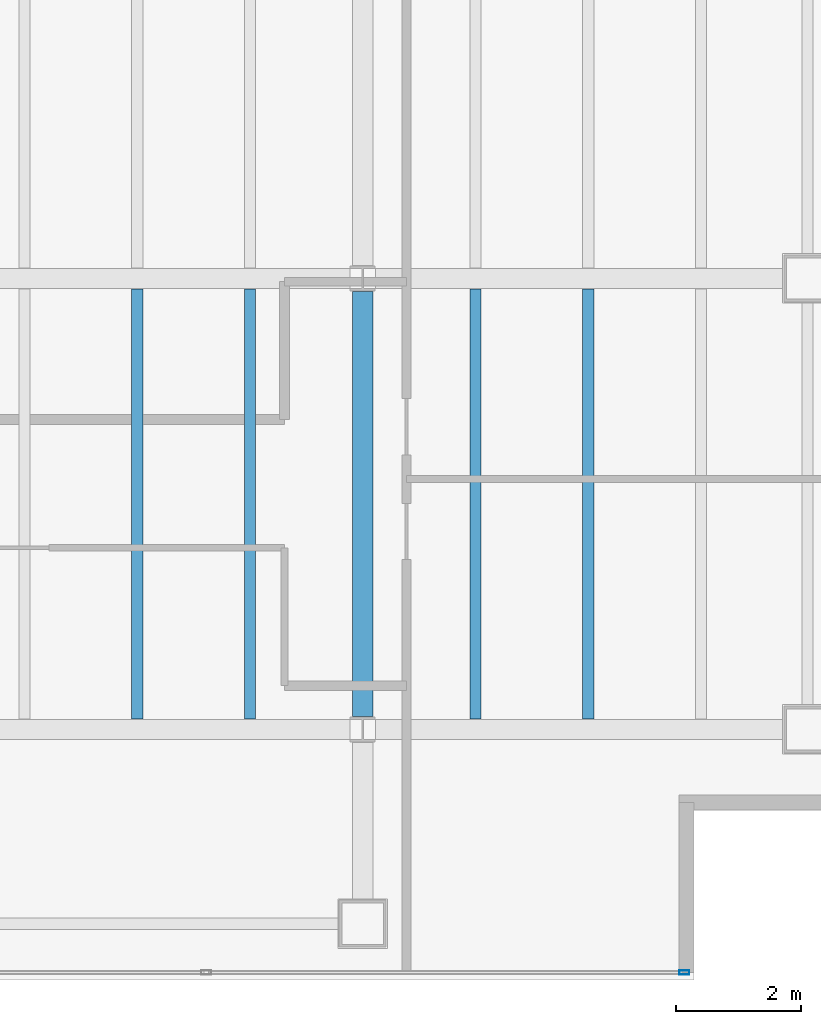
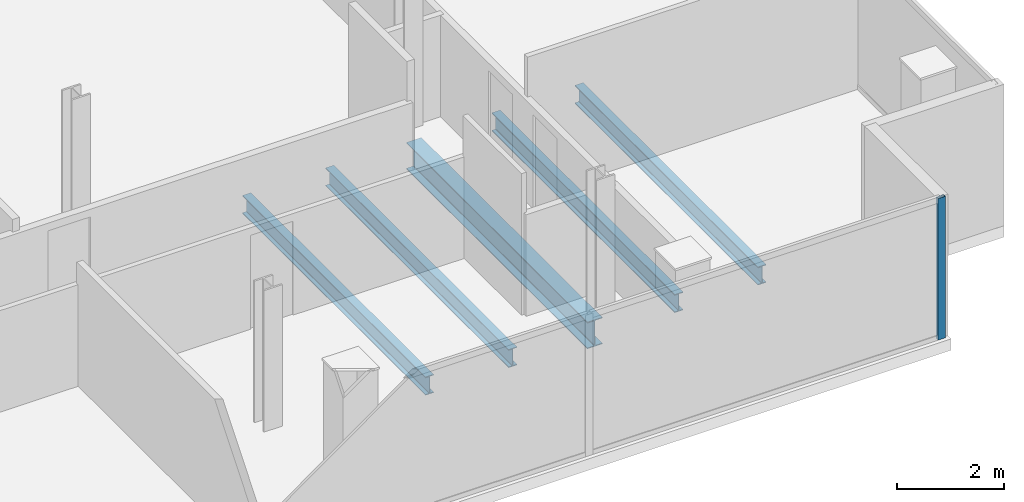
# One storey, part 11 of 23: 5 beams, 1 member, 1 element without a shape of its own.
"""IFC4 building model written with IfcOpenShell, lengths in metres."""

from ifc_helpers import new_model, si_unit, direction, frame, origin, origin_2d, place, context, subcontext, project, spatial, hollow_rectangle, i_section, extrude, material, material_profile, profile_set, type_object, element, aggregate, save


model = new_model("IFC4")

# Units and contexts
model_context = context("Model", 3, precision=1e-05, world=origin(), true_north=direction((0.0, 1.0)))
body_context = subcontext(model_context, "Body", "Model", "MODEL_VIEW")
ifc_project = project(units=[si_unit("LENGTHUNIT", "METRE"), si_unit("AREAUNIT", "SQUARE_METRE"), si_unit("VOLUMEUNIT", "CUBIC_METRE"), si_unit("PLANEANGLEUNIT", "RADIAN"), si_unit("MASSUNIT", "GRAM", prefix="KILO")], contexts=[model_context])

# Site, building, storey
site_placement = place(None, origin())
site = spatial("IfcSite", under=ifc_project, at=site_placement, CompositionType="ELEMENT")
building_placement = place(site_placement, origin())
building = spatial("IfcBuilding", under=site, at=building_placement, Name="Cobrela Telecom Tower", CompositionType="ELEMENT")
storey_placement = place(building_placement, frame((0.0, 0.0, 229.25)))
storey = spatial("IfcBuildingStorey", under=building, at=storey_placement, Name="L59", CompositionType="ELEMENT", Elevation=229.25)

# Beams
ifc_material_1 = material(Name="Steel ASTM A992 Grade 50", Category="steel")
ifc_material_profile_1 = material_profile(ifc_material_1, i_section(OverallWidth=0.324951171875, OverallDepth=0.612060546875, WebThickness=0.0126953125, FlangeThickness=0.01904296875, FilletRadius=0.014892578125, at=origin_2d()), Name="W24X104")
ifc_profile_set_1 = profile_set([ifc_material_profile_1], Name="Steel ASTM A992 Grade 50")
beam_type_1 = type_object("IfcBeamType", Name="BM-GIRD-07", PredefinedType="USERDEFINED", material=ifc_profile_set_1)
beam_placement = place(storey_placement, frame((36.0, 7.404541015625, -0.56591796875), z_axis=(0.0, 1.0, 0.0), x_axis=(-1.0, 0.0, 0.0)))
element("IfcBeam", 1, at=beam_placement, inside=storey, type_object=beam_type_1, Name="L59 Primary Girder Y40", ObjectType="GIRDER", PredefinedType="USERDEFINED", context=body_context, shape_type="SweptSolid", body=[
    extrude(i_section(OverallWidth=0.324951171875, OverallDepth=0.612060546875, WebThickness=0.0126953125, FlangeThickness=0.01904296875, FilletRadius=0.014892578125, at=origin_2d()), origin(), (0.0, 0.0, 1.0), 6.791015625),
])
ifc_material_profile_2 = material_profile(ifc_material_1, i_section(OverallWidth=0.179931640625, OverallDepth=0.4169921875, WebThickness=0.010986328125, FlangeThickness=0.01806640625, FilletRadius=0.011962890625, at=origin_2d()), Name="W16X57")
ifc_profile_set_2 = profile_set([ifc_material_profile_2], Name="Steel ASTM A992 Grade 50")
beam_type_2 = type_object("IfcBeamType", Name="BM-JOIST-04", PredefinedType="JOIST", material=ifc_profile_set_2)
for number, where, z_axis, x_axis, name in (
    (2, (32.39990234375, 7.367431640625, -0.468505859375), (0.0, 1.0, 0.0), (-1.0, 0.0, 0.0), "L59 Secondary Composite Floor Beam J21"),
    (3, (34.199951171875, 7.367431640625, -0.468505859375), (0.0, 1.0, 0.0), (-1.0, 0.0, 0.0), "L59 Secondary Composite Floor Beam J23"),
    (4, (37.800048828125, 7.367431640625, -0.468505859375), (0.0, 1.0, 0.0), (-1.0, 0.0, 0.0), "L59 Secondary Composite Floor Beam J25"),
    (5, (39.60009765625, 7.367431640625, -0.468505859375), (0.0, 1.0, 0.0), (-1.0, 0.0, 0.0), "L59 Secondary Composite Floor Beam J27"),
):
    element("IfcBeam", number, at=place(storey_placement, frame(where, z_axis=z_axis, x_axis=x_axis)), inside=storey, type_object=beam_type_2, Name=name, PredefinedType="JOIST", context=body_context, shape_type="SweptSolid", body=[
        extrude(i_section(OverallWidth=0.179931640625, OverallDepth=0.4169921875, WebThickness=0.010986328125, FlangeThickness=0.01806640625, FilletRadius=0.011962890625, at=origin_2d()), origin(), (0.0, 0.0, 1.0), 6.864990234375),
    ])

# Curtain wall, member
ifc_material_2 = material(Name="Anodized Bronze Aluminium 6063-T6", Category="aluminium")
curtain_wall_type = type_object("IfcCurtainWallType", Name="CW-SYS-OFF-LO", PredefinedType="USERDEFINED", material=ifc_material_2)
curtain_wall_placement = place(storey_placement, origin())
curtain_wall = element("IfcCurtainWall", 6, at=curtain_wall_placement, inside=storey, type_object=curtain_wall_type, Name="L59 Unitised Bronze Curtain Wall 17", ObjectType="UNITISED CURTAIN WALL", PredefinedType="USERDEFINED")
ifc_material_profile_3 = material_profile(ifc_material_2, hollow_rectangle(XDim=0.070068359375, YDim=0.159912109375, WallThickness=0.00390625, at=origin_2d()), Name="ALU 70x160x4")
ifc_profile_set_3 = profile_set([ifc_material_profile_3], Name="Anodized Bronze Aluminium 6063-T6")
member_type = type_object("IfcMemberType", Name="CW-SYS-OFF-LO-MUL", PredefinedType="MULLION", material=ifc_profile_set_3)
member_placement = place(storey_placement, frame((41.135009765625, 3.320068359375, 0.0), z_axis=(0.0, 0.0, 1.0), x_axis=(0.0, -1.0, 0.0)))
member = element("IfcMember", 7, at=member_placement, type_object=member_type, Name="CW-OFF-LO mullion 1", PredefinedType="MULLION", context=body_context, shape_type="SweptSolid", body=[
    extrude(hollow_rectangle(XDim=0.070068359375, YDim=0.159912109375, WallThickness=0.00390625, at=origin_2d()), origin(), (0.0, 0.0, 1.0), 3.239990234375),
])
aggregate(curtain_wall, [member])

save(model, "model.ifc")
